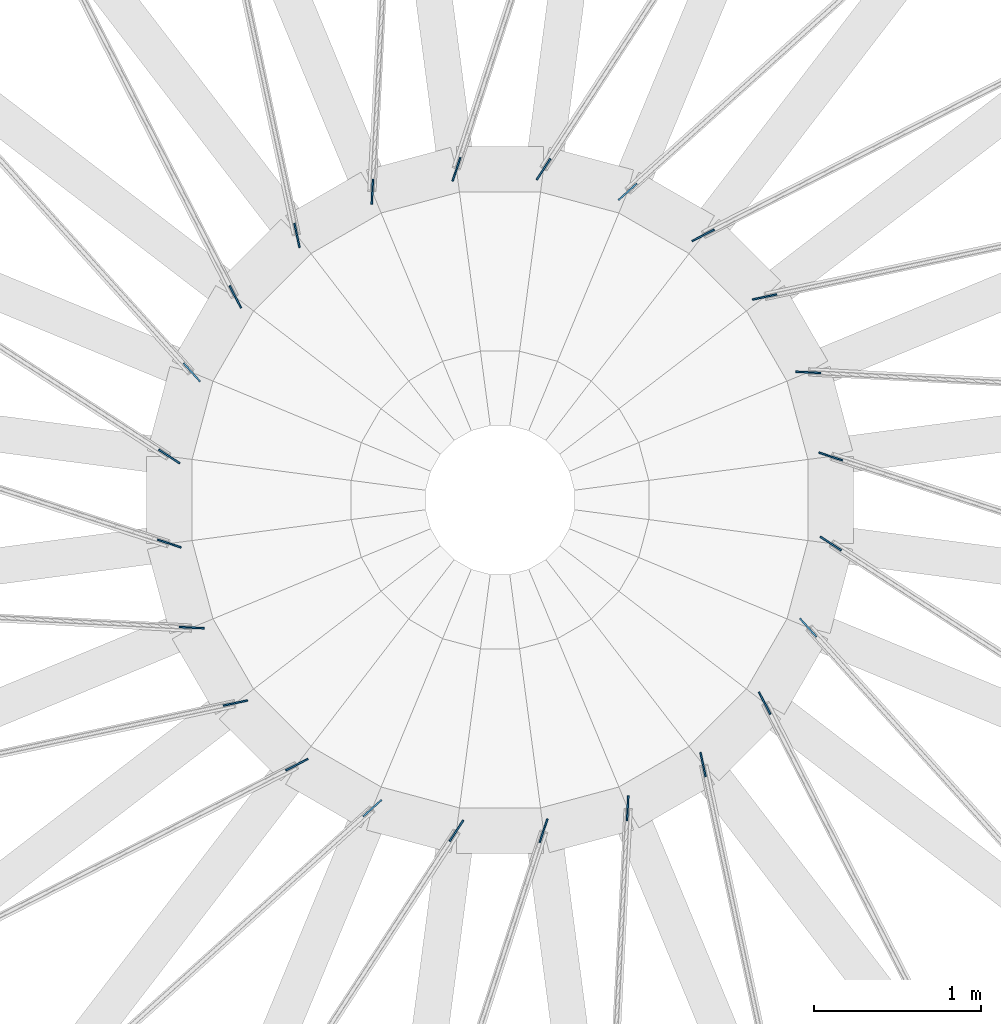
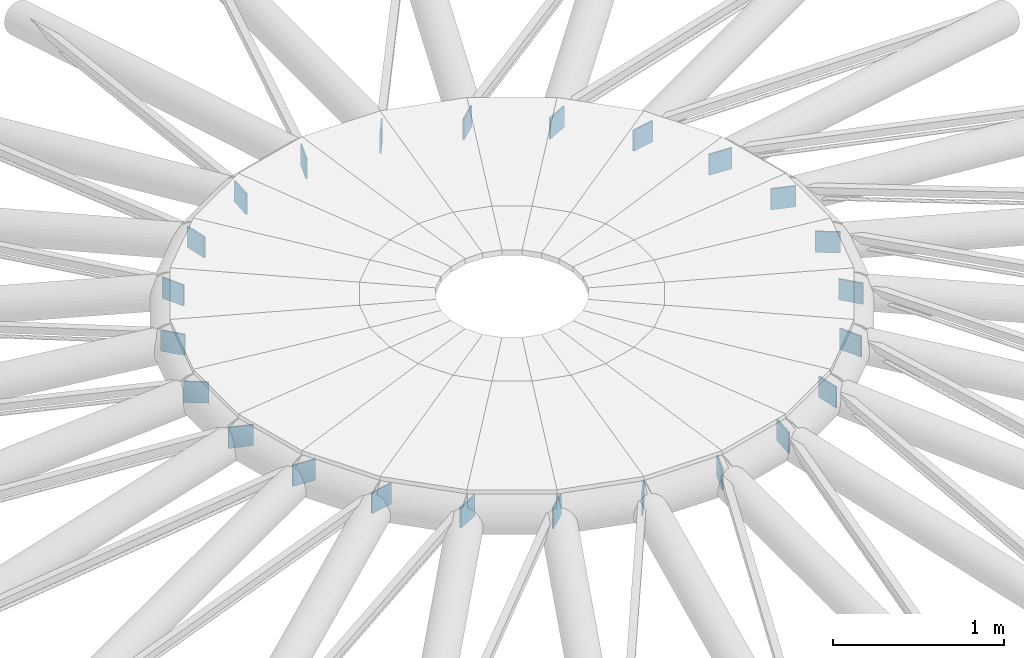
# One storey, part 13 of 15: 24 discrete accessories.
"""IFC4 building model written with IfcOpenShell, lengths in metres."""

from ifc_helpers import new_model, si_unit, direction, frame, origin, origin_2d, place, context, subcontext, project, spatial, rectangle, extrude, material, type_object, element, save


model = new_model("IFC4")

# Units and contexts
model_context = context("Model", 3, precision=1e-05, world=origin(), true_north=direction((0.0, 1.0)))
body_context = subcontext(model_context, "Body", "Model", "MODEL_VIEW")
ifc_project = project(units=[si_unit("LENGTHUNIT", "METRE"), si_unit("AREAUNIT", "SQUARE_METRE"), si_unit("VOLUMEUNIT", "CUBIC_METRE"), si_unit("PLANEANGLEUNIT", "RADIAN"), si_unit("MASSUNIT", "GRAM", prefix="KILO")], contexts=[model_context])

# Site, building, storey
site_placement = place(None, origin())
site = spatial("IfcSite", under=ifc_project, at=site_placement, CompositionType="ELEMENT")
building_placement = place(site_placement, origin())
building = spatial("IfcBuilding", under=site, at=building_placement, Name="Hortulan Conservatory and Botanical Research Centre", CompositionType="ELEMENT")
storey_placement = place(building_placement, frame((0.0, 0.0, 23.39990234375)))
storey = spatial("IfcBuildingStorey", under=building, at=storey_placement, Name="L05", CompositionType="ELEMENT", Elevation=23.39990234375)

# Discrete accessories
ifc_material = material(Name="Steel Grade 300 plate (AS/NZS 3678, 280 MPa minimum yield)", Category="steel")
discrete_accessory_type = type_object("IfcDiscreteAccessoryType", Name="End Plate 150x10", PredefinedType="BRACKET", material=ifc_material)
for number, where, z_axis, x_axis, name in (
    (1, (52.01708984375, 17.739013671875, 0.41943359375), (0.0, 0.0, 1.0), (0.951212802022, -0.308535581853, 0.0), "Dome rod end plate"),
    (2, (52.01708984375, 18.260986328125, 0.41943359375), (0.0, 0.0, 1.0), (0.838965123252, -0.544185190874, 0.0), "Dome rod end plate"),
    (3, (52.152099609375, 17.234619140625, 0.41943359375), (0.0, 0.0, 1.0), (0.998656800906, -0.051813067891, 0.0), "Dome rod end plate"),
    (4, (52.152099609375, 18.765380859375, 0.41943359375), (0.0, 0.0, 1.0), (0.669506660029, -0.742806052867, 0.0), "Dome rod end plate"),
    (5, (52.413330078125, 16.782470703125, 0.41943359375), (0.0, 0.0, 1.0), (0.97803860435, 0.20842381918, 0.0), "Dome rod end plate"),
    (6, (52.413330078125, 19.217529296875, 0.41943359375), (0.0, 0.0, 1.0), (0.454472514189, -0.890760761286, 0.0), "Dome rod end plate"),
    (7, (52.782470703125, 16.413330078125, 0.41943359375), (0.0, 0.0, 1.0), (0.890760761286, 0.454472514189, 0.0), "Dome rod end plate"),
    (8, (52.782470703125, 19.586669921875, 0.41943359375), (0.0, 0.0, 1.0), (0.20842381918, -0.97803860435, 0.0), "Dome rod end plate"),
    (9, (53.234619140625, 16.152099609375, 0.41943359375), (0.0, 0.0, 1.0), (0.742806052867, 0.669506660029, 0.0), "Dome rod end plate"),
    (10, (53.234619140625, 19.847900390625, 0.41943359375), (0.0, 0.0, 1.0), (0.051813067891, 0.998656800906, 0.0), "Dome rod end plate"),
    (11, (53.739013671875, 16.01708984375, 0.41943359375), (0.0, 0.0, 1.0), (0.544185190874, 0.838965123252, 0.0), "Dome rod end plate"),
    (12, (53.739013671875, 19.98291015625, 0.41943359375), (0.0, 0.0, 1.0), (0.308535581853, 0.951212802022, 0.0), "Dome rod end plate"),
    (13, (54.260986328125, 16.01708984375, 0.41943359375), (0.0, 0.0, 1.0), (0.308535581853, 0.951212802022, 0.0), "Dome rod end plate"),
    (14, (54.260986328125, 19.98291015625, 0.41943359375), (0.0, 0.0, 1.0), (0.544185190874, 0.838965123252, 0.0), "Dome rod end plate"),
    (15, (54.765380859375, 16.152099609375, 0.41943359375), (0.0, 0.0, 1.0), (0.051813067891, 0.998656800906, 0.0), "Dome rod end plate"),
    (16, (54.765380859375, 19.847900390625, 0.41943359375), (0.0, 0.0, 1.0), (0.742806052867, 0.669506660029, 0.0), "Dome rod end plate"),
    (17, (55.217529296875, 16.413330078125, 0.41943359375), (0.0, 0.0, 1.0), (0.20842381918, -0.97803860435, 0.0), "Dome rod end plate"),
    (18, (55.217529296875, 19.586669921875, 0.41943359375), (0.0, 0.0, 1.0), (0.890760761286, 0.454472514189, 0.0), "Dome rod end plate"),
    (19, (55.586669921875, 16.782470703125, 0.41943359375), (0.0, 0.0, 1.0), (0.454472514189, -0.890760761286, 0.0), "Dome rod end plate"),
    (20, (55.586669921875, 19.217529296875, 0.41943359375), (0.0, 0.0, 1.0), (0.97803860435, 0.20842381918, 0.0), "Dome rod end plate"),
    (21, (55.847900390625, 17.234619140625, 0.41943359375), (0.0, 0.0, 1.0), (0.669506660029, -0.742806052867, 0.0), "Dome rod end plate"),
    (22, (55.847900390625, 18.765380859375, 0.41943359375), (0.0, 0.0, 1.0), (0.998656800906, -0.051813067891, 0.0), "Dome rod end plate"),
    (23, (55.98291015625, 17.739013671875, 0.41943359375), (0.0, 0.0, 1.0), (0.838965123252, -0.544185190874, 0.0), "Dome rod end plate"),
    (24, (55.98291015625, 18.260986328125, 0.41943359375), (0.0, 0.0, 1.0), (0.951212802022, -0.308535581853, 0.0), "Dome rod end plate"),
):
    element("IfcDiscreteAccessory", number, at=place(storey_placement, frame(where, z_axis=z_axis, x_axis=x_axis)), inside=storey, type_object=discrete_accessory_type, Name=name, PredefinedType="BRACKET", context=body_context, shape_type="SweptSolid", body=[
        extrude(rectangle(XDim=0.14990234375, YDim=0.010009765625, at=origin_2d()), origin(), (0.0, 0.0, 1.0), 0.14990234375),
    ])

save(model, "model.ifc")
